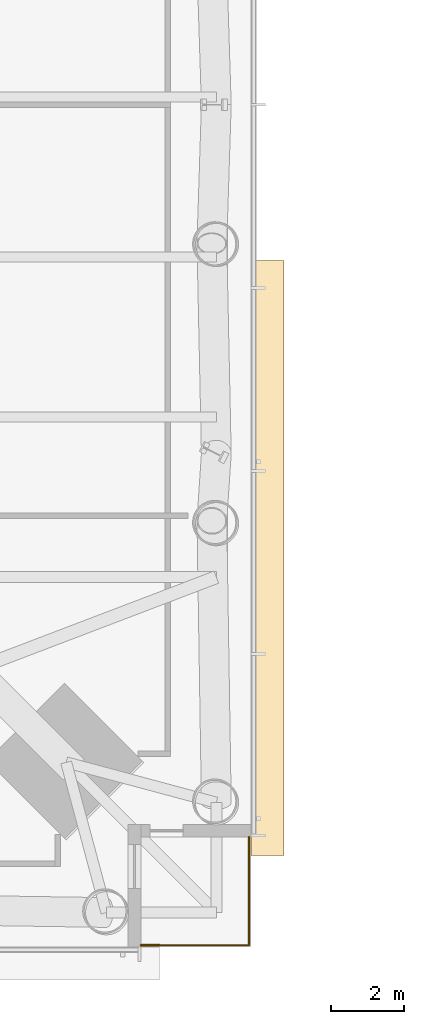
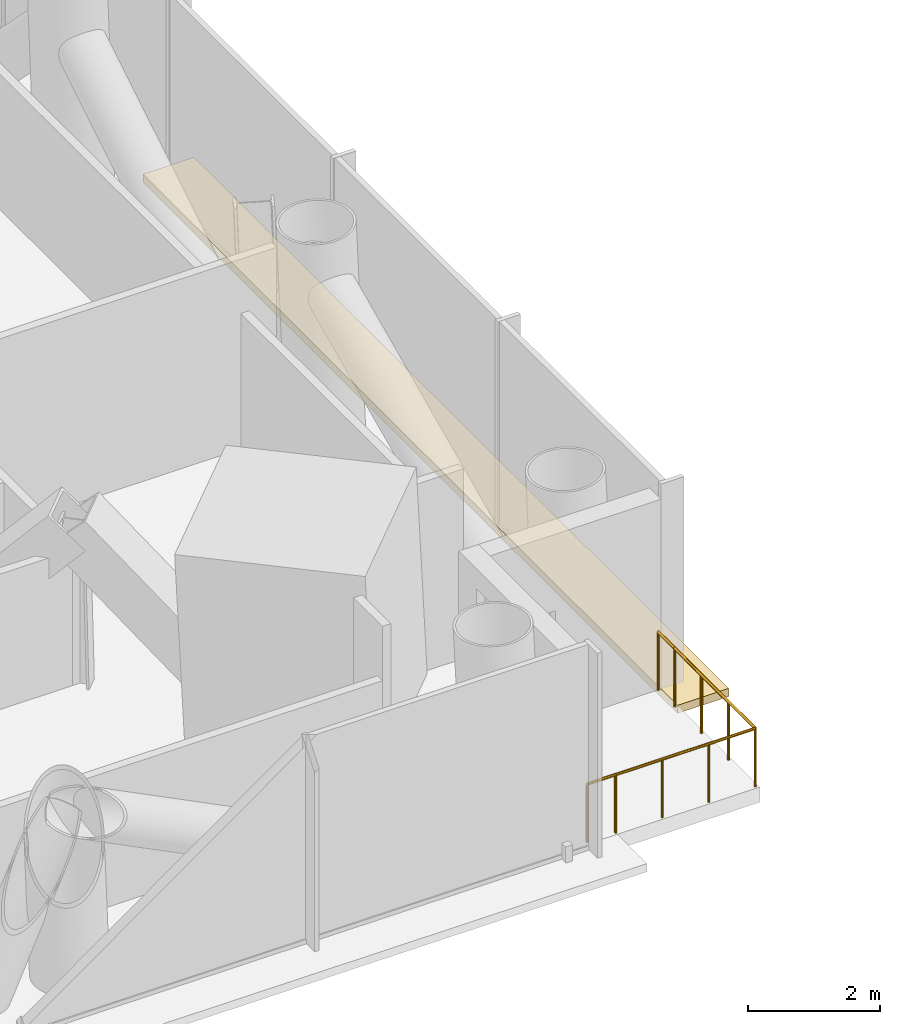
# One storey, part 26 of 28: 3 railings, 1 covering.
"""IFC4 building model written with IfcOpenShell, lengths in metres."""

from ifc_helpers import new_model, si_unit, direction, frame, origin, origin_2d, place, context, subcontext, project, spatial, polyline, circle, outline, extrude, material, layer, layer_set, type_object, element, save


model = new_model("IFC4")

# Units and contexts
model_context = context("Model", 3, precision=1e-05, world=origin(), true_north=direction((0.0, 1.0)))
body_context = subcontext(model_context, "Body", "Model", "MODEL_VIEW")
ifc_project = project(units=[si_unit("LENGTHUNIT", "METRE"), si_unit("AREAUNIT", "SQUARE_METRE"), si_unit("VOLUMEUNIT", "CUBIC_METRE"), si_unit("PLANEANGLEUNIT", "RADIAN"), si_unit("MASSUNIT", "GRAM", prefix="KILO")], contexts=[model_context])

# Site, building, storey
site_placement = place(None, origin())
site = spatial("IfcSite", under=ifc_project, at=site_placement, CompositionType="ELEMENT")
building_placement = place(site_placement, origin())
building = spatial("IfcBuilding", under=site, at=building_placement, Name="Ostroluk Exchange", CompositionType="ELEMENT")
storey_placement = place(building_placement, frame((0.0, 0.0, 81.800048828125)))
storey = spatial("IfcBuildingStorey", under=building, at=storey_placement, Name="L20", CompositionType="ELEMENT", Elevation=81.800048828125)

# Railings
ifc_material_1 = material(Name="Stainless steel", Category="steel")
railing_type_1 = type_object("IfcRailingType", Name="Guard 1100 stainless steel", PredefinedType="GUARDRAIL", material=ifc_material_1)
railing_1_placement = place(storey_placement, frame((65.5, 23.050048828125, 0.0)))
element("IfcRailing", 1, at=railing_1_placement, inside=storey, type_object=railing_type_1, Name="Office tower SE balcony guard L20", PredefinedType="GUARDRAIL", context=body_context, shape_type="SweptSolid", body=[
    extrude(circle(Radius=0.02392578125, at=origin_2d()), frame((0.0, 0.0, 1.076171875), z_axis=(1.0, 0.0, 0.0), x_axis=(0.0, 1.0, 0.0)), (0.0, 0.0, 1.0), 2.449951171875),
    extrude(circle(Radius=0.02392578125, at=origin_2d()), frame((2.449951171875, 0.0, 1.076171875), z_axis=(0.0, 1.0, 0.0), x_axis=(-1.0, 0.0, 0.0)), (0.0, 0.0, 1.0), 2.449951171875),
    extrude(circle(Radius=0.02099609375, at=origin_2d()), origin(), (0.0, 0.0, 1.0), 1.052001953125),
    extrude(circle(Radius=0.02099609375, at=origin_2d()), frame((0.816650390625, 0.0, 0.0)), (0.0, 0.0, 1.0), 1.052001953125),
    extrude(circle(Radius=0.02099609375, at=origin_2d()), frame((1.63330078125, 0.0, 0.0)), (0.0, 0.0, 1.0), 1.052001953125),
    extrude(circle(Radius=0.02099609375, at=origin_2d()), frame((2.449951171875, 0.0, 0.0)), (0.0, 0.0, 1.0), 1.052001953125),
    extrude(circle(Radius=0.02099609375, at=origin_2d()), frame((2.449951171875, 0.816650390625, 0.0)), (0.0, 0.0, 1.0), 1.052001953125),
    extrude(circle(Radius=0.02099609375, at=origin_2d()), frame((2.449951171875, 1.63330078125, 0.0)), (0.0, 0.0, 1.0), 1.052001953125),
    extrude(circle(Radius=0.02099609375, at=origin_2d()), frame((2.449951171875, 2.449951171875, 0.0)), (0.0, 0.0, 1.0), 1.052001953125),
])
ifc_material_2 = material(Name="Stainless steel", Category="steel")
railing_type_2 = type_object("IfcRailingType", Name="Lockable maintenance gate 1100", PredefinedType="GUARDRAIL", material=ifc_material_2)
railing_2_placement = place(storey_placement, frame((65.0, 23.050048828125, 0.0)))
element("IfcRailing", 2, at=railing_2_placement, inside=storey, type_object=railing_type_2, Name="Lockable maintenance gate T1 L20 SE", PredefinedType="GUARDRAIL", context=body_context, shape_type="SweptSolid", body=[
    extrude(circle(Radius=0.02392578125, at=origin_2d()), frame((0.0, 0.0, 1.076171875), z_axis=(1.0, 0.0, 0.0), x_axis=(0.0, 1.0, 0.0)), (0.0, 0.0, 1.0), 0.5),
    extrude(circle(Radius=0.02099609375, at=origin_2d()), origin(), (0.0, 0.0, 1.0), 1.052001953125),
    extrude(circle(Radius=0.02099609375, at=origin_2d()), frame((0.5, 0.0, 0.0)), (0.0, 0.0, 1.0), 1.052001953125),
])
railing_3_placement = place(storey_placement, frame((67.949951171875, 25.5, 0.0)))
element("IfcRailing", 3, at=railing_3_placement, inside=storey, type_object=railing_type_2, Name="Lockable maintenance gate T1 L20 SE", PredefinedType="GUARDRAIL", context=body_context, shape_type="SweptSolid", body=[
    extrude(circle(Radius=0.02392578125, at=origin_2d()), frame((0.0, 0.0, 1.076171875), z_axis=(0.0, 1.0, 0.0), x_axis=(-1.0, 0.0, 0.0)), (0.0, 0.0, 1.0), 0.5),
    extrude(circle(Radius=0.02099609375, at=origin_2d()), origin(), (0.0, 0.0, 1.0), 1.052001953125),
    extrude(circle(Radius=0.02099609375, at=origin_2d()), frame((0.0, 0.5, 0.0)), (0.0, 0.0, 1.0), 1.052001953125),
])

# Covering
ifc_material_3 = material(Name="Insulated steel roof deck with membrane, laid to falls, aluminium coping", Category="steel")
ifc_layer = layer(ifc_material_3, 0.14990234375)
ifc_layer_set = layer_set([ifc_layer], Name="Setback maintenance roof")
covering_type = type_object("IfcCoveringType", Name="Setback maintenance roof", PredefinedType="ROOFING", material=ifc_layer_set)
covering_placement = place(storey_placement, frame((0.0, 0.0, -0.150146484375)))
element("IfcCovering", 4, at=covering_placement, inside=storey, type_object=covering_type, Name="Maintenance roof, setback L20 east", PredefinedType="ROOFING", context=body_context, shape_type="SweptSolid", body=[
    extrude(outline(polyline([(68.0, 41.75), (68.89990234375, 41.75), (68.89990234375, 25.5), (68.0, 25.5), (68.0, 41.75)])), origin(), (0.0, 0.0, 1.0), 0.150146484375),
])

save(model, "model.ifc")
